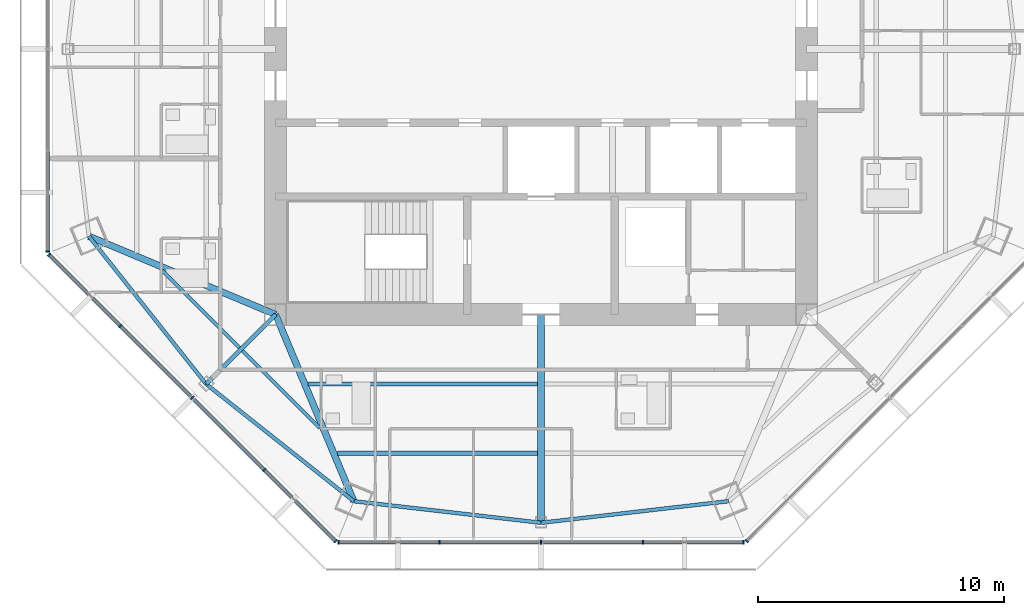
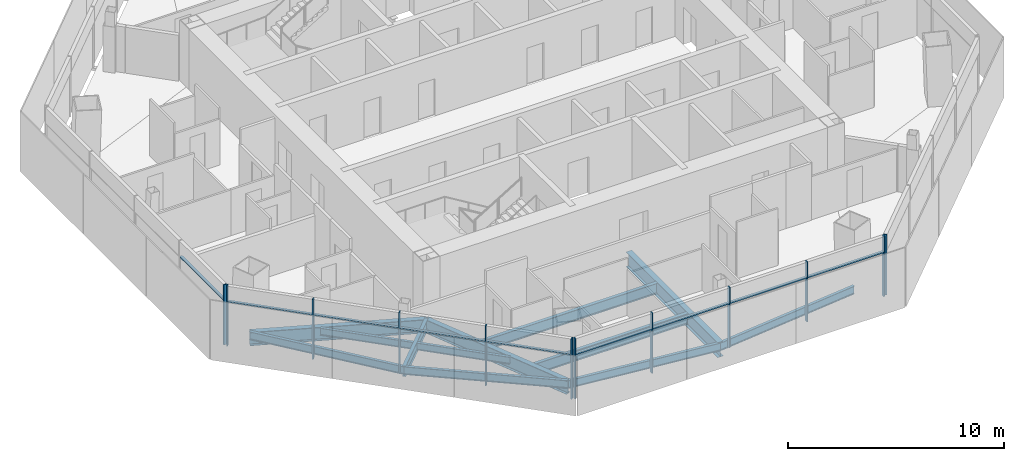
# One storey, part 2 of 15: 21 members, 12 beams, 4 elements without a shape of their own.
"""IFC4 building model written with IfcOpenShell, lengths in metres."""

import ifcopenshell
import ifcopenshell.guid

model = None  # the IFC model being written
_history = None  # IfcOwnerHistory: only IFC2X3 demands one
_inside = {}  # id of a spatial element -> (the spatial element, [elements in it])
_under = {}  # id of a project, library or spatial element -> (it, [spatial elements below it])
_declared = {}  # id of a project -> (the project, [libraries it declares])
_typed = {}  # id of a type object -> (the type object, [elements of that type])
_made_of = {}  # id of a material, layer set ... -> (it, [elements and type objects made of it])


def new_model(schema):
    """Start an empty IFC model of exactly this schema.

    Asked for "IFC4X3", IfcOpenShell would pick the latest addendum, in which some entities
    have other attributes; the version numbers below select the first issue.
    IFC2X3 requires an IfcOwnerHistory on every rooted entity: one is made here for all.
    """
    global model, _history
    if schema == "IFC4X3":
        model = ifcopenshell.file(schema_version=(4, 3, 0, 0))
    else:
        model = ifcopenshell.file(schema=schema)
    _inside.clear()
    _under.clear()
    _declared.clear()
    _typed.clear()
    _made_of.clear()
    _history = None
    if model.schema == "IFC2X3":
        org = make("IfcOrganization", Name="unknown")
        user = make(
            "IfcPersonAndOrganization",
            ThePerson=make("IfcPerson", FamilyName="unknown"),
            TheOrganization=org,
        )
        app = make(
            "IfcApplication",
            ApplicationDeveloper=org,
            Version="unknown",
            ApplicationFullName="unknown",
            ApplicationIdentifier="unknown",
        )
        _history = make(
            "IfcOwnerHistory",
            OwningUser=user,
            OwningApplication=app,
            ChangeAction="ADDED",
            CreationDate=0,
        )
    return model


def make(cls, **values):
    """One entity of the class cls with the attributes given. An attribute that is None is left unset."""
    return model.create_entity(
        cls, **{name: value for name, value in values.items() if value is not None}
    )


def rooted(cls, **values):
    """An entity with a GlobalId (a new one), such as an element, a storey or a relation."""
    return make(cls, GlobalId=ifcopenshell.guid.new(), OwnerHistory=_history, **values)


def si_unit(unit_type, name, prefix=None):
    """IfcSIUnit, for example si_unit("LENGTHUNIT", "METRE", prefix="MILLI")."""
    return make("IfcSIUnit", UnitType=unit_type, Prefix=prefix, Name=name)


def assignment(units):
    """IfcUnitAssignment: the units of a project."""
    return None if units is None else make("IfcUnitAssignment", Units=units)


def point(xyz):
    """IfcCartesianPoint."""
    return None if xyz is None else make("IfcCartesianPoint", Coordinates=xyz)


def direction(xyz):
    """IfcDirection."""
    return None if xyz is None else make("IfcDirection", DirectionRatios=xyz)


def frame(location, z_axis=None, x_axis=None):
    """IfcAxis2Placement3D, a coordinate frame: its origin and axes. An axis left out is left unset."""
    return make(
        "IfcAxis2Placement3D",
        Location=point(location),
        Axis=direction(z_axis),
        RefDirection=direction(x_axis),
    )


def frame_2d(location, x_axis=None):
    """IfcAxis2Placement2D, a coordinate frame in the plane: its origin and x axis."""
    return make(
        "IfcAxis2Placement2D", Location=point(location), RefDirection=direction(x_axis)
    )


def origin():
    """The frame at (0, 0, 0) with its axes left unset."""
    return frame((0.0, 0.0, 0.0))


def origin_2d():
    """The frame at (0, 0) in the plane with its x axis left unset."""
    return frame_2d((0.0, 0.0))


def place(relative_to, where):
    """IfcLocalPlacement: puts the frame where relative to a parent placement (None: the world)."""
    return make(
        "IfcLocalPlacement", PlacementRelTo=relative_to, RelativePlacement=where
    )


def context(
    kind, dimensions, precision=None, world=None, true_north=None, identifier=None
):
    """IfcGeometricRepresentationContext, for example the 3D "Model" context."""
    return make(
        "IfcGeometricRepresentationContext",
        ContextIdentifier=identifier,
        ContextType=kind,
        CoordinateSpaceDimension=dimensions,
        Precision=precision,
        WorldCoordinateSystem=world,
        TrueNorth=true_north,
    )


def subcontext(parent, identifier, kind, view, scale=None):
    """IfcGeometricRepresentationSubContext, for example "Body" below "Model"."""
    return make(
        "IfcGeometricRepresentationSubContext",
        ContextIdentifier=identifier,
        ContextType=kind,
        ParentContext=parent,
        TargetScale=scale,
        TargetView=view,
    )


def project(units=None, contexts=None):
    """IfcProject with its units and contexts."""
    return rooted(
        "IfcProject",
        Name="project",
        RepresentationContexts=contexts,
        UnitsInContext=assignment(units),
    )


def spatial(cls, under=None, at=None, **own):
    """A site, building, storey or space (cls), placed at a placement, below another one or the project."""
    s = rooted(cls, ObjectPlacement=at, **own)
    if under is not None:
        _under.setdefault(under.id(), (under, []))[1].append(s)
    return s


def profile(cls, at=None, kind="AREA", **sizes):
    """A parametric profile (cls). Its sizes go by their IFC names, for example OverallWidth=200.0."""
    return make(cls, ProfileType=kind, Position=at, **sizes)


def rectangle(**sizes):
    """IfcRectangleProfileDef."""
    return profile("IfcRectangleProfileDef", **sizes)


def i_section(**sizes):
    """IfcIShapeProfileDef."""
    return profile("IfcIShapeProfileDef", **sizes)


def extrude(swept, where, along, depth):
    """IfcExtrudedAreaSolid: the profile swept, set in the frame where, extruded along a direction by depth."""
    return make(
        "IfcExtrudedAreaSolid",
        SweptArea=swept,
        Position=where,
        ExtrudedDirection=direction(along),
        Depth=depth,
    )


def shape(context_of_items, identifier, shape_type, items):
    """IfcShapeRepresentation: the items that make up one representation, for example the "Body"."""
    return make(
        "IfcShapeRepresentation",
        ContextOfItems=context_of_items,
        RepresentationIdentifier=identifier,
        RepresentationType=shape_type,
        Items=items,
    )


def source(mapping_origin, context_of_items, identifier, shape_type, items):
    """IfcRepresentationMap: a shape defined once, which mapped items show again and again."""
    return make(
        "IfcRepresentationMap",
        MappingOrigin=mapping_origin,
        MappedRepresentation=shape(context_of_items, identifier, shape_type, items),
    )


def transform(
    local_origin,
    x_axis=None,
    y_axis=None,
    z_axis=None,
    scale=None,
    scale2=None,
    scale3=None,
    uniform=True,
):
    """IfcCartesianTransformationOperator3D, or its non-uniform kind. x_axis, y_axis, z_axis: its Axis1, 2, 3."""
    if uniform:
        return make(
            "IfcCartesianTransformationOperator3D",
            Axis1=direction(x_axis),
            Axis2=direction(y_axis),
            LocalOrigin=point(local_origin),
            Scale=scale,
            Axis3=direction(z_axis),
        )
    return make(
        "IfcCartesianTransformationOperator3DnonUniform",
        Axis1=direction(x_axis),
        Axis2=direction(y_axis),
        LocalOrigin=point(local_origin),
        Scale=scale,
        Axis3=direction(z_axis),
        Scale2=scale2,
        Scale3=scale3,
    )


def mapped(mapping_source, mapping_target):
    """IfcMappedItem: shows the shape of a source again, moved by a transform."""
    return make(
        "IfcMappedItem", MappingSource=mapping_source, MappingTarget=mapping_target
    )


def material(Name=None, Category=None):
    """IfcMaterial."""
    return make("IfcMaterial", Name=Name, Category=Category)


def material_profile(
    of_material, cross_section, Name=None, Category=None, Priority=None
):
    """IfcMaterialProfile: a cross section and its material."""
    return make(
        "IfcMaterialProfile",
        Name=Name,
        Material=of_material,
        Profile=cross_section,
        Priority=Priority,
        Category=Category,
    )


def profile_set(profiles, Name=None, composite=None):
    """IfcMaterialProfileSet."""
    return make(
        "IfcMaterialProfileSet",
        Name=Name,
        MaterialProfiles=profiles,
        CompositeProfile=composite,
    )


def made_of(thing, what):
    """Note that an element or type object is made of a material, layer set ...; save() writes the relation."""
    if what is not None:
        _made_of.setdefault(what.id(), (what, []))[1].append(thing)
    return thing


def type_object(cls, material=None, **own):
    """A type object (cls), such as IfcWallType, which elements share."""
    return made_of(rooted(cls, **own), material)


def type_shapes(of_type, sources):
    """Give a type object the sources (RepresentationMaps) that its elements show as mapped items."""
    of_type.RepresentationMaps = sources


def element(
    cls,
    number,
    at=None,
    inside=None,
    cuts=None,
    type_object=None,
    material=None,
    context=None,
    identifier="Body",
    shape_type=None,
    held_by="IfcProductDefinitionShape",
    body=None,
    shapes=None,
    **own,
):
    """One element of the class cls, such as IfcWall. Its Tag is "e" and its number.

    at: its placement. inside: the storey or other place that contains it. cuts: it is an
    opening in that element (IfcRelVoidsElement). A single representation is given by context,
    identifier, shape_type and body (its items); several are given by shapes. held_by: the class
    of the entity that holds the representations. save() writes the other relations.
    """
    e = rooted(cls, Tag="e%d" % number, ObjectPlacement=at, **own)
    if body is not None:
        shapes = [shape(context, identifier, shape_type, body)]
    if shapes is not None:
        e.Representation = make(held_by, Representations=shapes)
    if inside is not None:
        _inside.setdefault(inside.id(), (inside, []))[1].append(e)
    if cuts is not None:
        rooted(
            "IfcRelVoidsElement", RelatingBuildingElement=cuts, RelatedOpeningElement=e
        )
    if type_object is not None:
        _typed.setdefault(type_object.id(), (type_object, []))[1].append(e)
    return made_of(e, material)


def aggregate(whole, parts):
    """IfcRelAggregates: a whole, such as a stair, and the parts it consists of."""
    return rooted("IfcRelAggregates", RelatingObject=whole, RelatedObjects=parts)


def save(model, path):
    """Write the relations noted so far, then the file.

    IfcRelAggregates (storeys below a building ...), IfcRelContainedInSpatialStructure (elements
    in a storey), IfcRelDefinesByType, IfcRelAssociatesMaterial and IfcRelDeclares: one each for
    every whole, place, type object, material and project.
    """
    for whole, parts in _under.values():
        aggregate(whole, parts)
    for where, things in _inside.values():
        rooted(
            "IfcRelContainedInSpatialStructure",
            RelatedElements=things,
            RelatingStructure=where,
        )
    for kind, things in _typed.values():
        rooted("IfcRelDefinesByType", RelatedObjects=things, RelatingType=kind)
    for what, things in _made_of.values():
        rooted("IfcRelAssociatesMaterial", RelatedObjects=things, RelatingMaterial=what)
    for by, libraries in _declared.values():
        rooted("IfcRelDeclares", RelatingContext=by, RelatedDefinitions=libraries)
    model.write(path)


model = new_model("IFC4")

# Units and contexts
model_context = context("Model", 3, precision=1e-05, world=origin(), true_north=direction((0.0, 1.0)))
body_context = subcontext(model_context, "Body", "Model", "MODEL_VIEW")
ifc_project = project(units=[si_unit("LENGTHUNIT", "METRE"), si_unit("AREAUNIT", "SQUARE_METRE"), si_unit("VOLUMEUNIT", "CUBIC_METRE"), si_unit("PLANEANGLEUNIT", "RADIAN"), si_unit("MASSUNIT", "GRAM", prefix="KILO")], contexts=[model_context])

# Site, building, storey
site_placement = place(None, origin())
site = spatial("IfcSite", under=ifc_project, at=site_placement, CompositionType="ELEMENT")
building_placement = place(site_placement, origin())
building = spatial("IfcBuilding", under=site, at=building_placement, Name="Mashrafa Tower", CompositionType="ELEMENT")
storey_placement = place(building_placement, frame((0.0, 0.0, 281.0)))
storey = spatial("IfcBuildingStorey", under=building, at=storey_placement, Name="L68", CompositionType="ELEMENT", Elevation=281.0)

# Beams
ifc_material_1 = material(Name="Steel ASTM A992", Category="steel")
ifc_material_profile_1 = material_profile(ifc_material_1, i_section(OverallWidth=0.140380859375, OverallDepth=0.40380859375, WebThickness=0.007080078125, FlangeThickness=0.01123046875, FilletRadius=0.01025390625, at=origin_2d()), Name="W16X31")
ifc_profile_set_1 = profile_set([ifc_material_profile_1], Name="Steel ASTM A992")
beam_type_1 = type_object("IfcBeamType", Name="Beam W16X31", PredefinedType="BEAM", material=ifc_profile_set_1)
for number, where, z_axis, x_axis, name in (
    (1, (-12.276611328125, -12.150390625, -0.40185546875), (-0.707106781187, 0.707106781187, 0.0), (-0.707106781187, -0.707106781187, 0.0), "Floor beam L68 006"),
    (2, (-9.010498046875, -15.41650390625, -0.40185546875), (-0.707106781187, 0.707106781187, 0.0), (-0.707106781187, -0.707106781187, 0.0), "Floor beam L68 009"),
):
    element("IfcBeam", number, at=place(storey_placement, frame(where, z_axis=z_axis, x_axis=x_axis)), inside=storey, type_object=beam_type_1, Name=name, PredefinedType="BEAM", context=body_context, shape_type="SweptSolid", body=[
        extrude(i_section(OverallWidth=0.140380859375, OverallDepth=0.40380859375, WebThickness=0.007080078125, FlangeThickness=0.01123046875, FilletRadius=0.01025390625, at=origin_2d()), origin(), (0.0, 0.0, 1.0), 4.4404296875),
    ])
ifc_material_2 = material(Name="Steel ASTM A992", Category="steel")
ifc_material_profile_2 = material_profile(ifc_material_2, i_section(OverallWidth=0.15234375, OverallDepth=0.449462890625, WebThickness=0.007568359375, FlangeThickness=0.0107421875, FilletRadius=0.01025390625, at=origin_2d()), Name="W18X35")
ifc_profile_set_2 = profile_set([ifc_material_profile_2], Name="Steel ASTM A992")
beam_type_2 = type_object("IfcBeamType", Name="Beam W18X35", PredefinedType="BEAM", material=ifc_profile_set_2)
for number, where, z_axis, x_axis, name in (
    (3, (-18.39306640625, -7.61865234375, -0.4248046875), (0.621467485512, -0.783439955868, 0.0), (0.783439955868, 0.621467485512, 0.0), "Spandrel beam L68 042"),
    (4, (-13.626953125, -13.626953125, -0.4248046875), (0.783439955868, -0.621467485512, 0.0), (0.621467485512, 0.783439955868, 0.0), "Spandrel beam L68 044"),
    (5, (-7.61865234375, -18.39306640625, -0.4248046875), (0.993422313462, -0.114508109387, 0.0), (0.114508109387, 0.993422313462, 0.0), "Spandrel beam L68 046"),
    (6, (0.0, -19.271240234375, -0.4248046875), (0.993422313462, 0.114508109387, 0.0), (-0.114508109387, 0.993422313462, 0.0), "Spandrel beam L68 048"),
):
    element("IfcBeam", number, at=place(storey_placement, frame(where, z_axis=z_axis, x_axis=x_axis)), inside=storey, type_object=beam_type_2, Name=name, PredefinedType="BEAM", context=body_context, shape_type="SweptSolid", body=[
        extrude(i_section(OverallWidth=0.15234375, OverallDepth=0.449462890625, WebThickness=0.007568359375, FlangeThickness=0.0107421875, FilletRadius=0.01025390625, at=origin_2d()), origin(), (0.0, 0.0, 1.0), 7.669189453125),
    ])
ifc_material_3 = material(Name="Steel ASTM A992", Category="steel")
ifc_material_profile_3 = material_profile(ifc_material_3, i_section(OverallWidth=0.177978515625, OverallDepth=0.599365234375, WebThickness=0.010009765625, FlangeThickness=0.012939453125, FilletRadius=0.012939453125, at=origin_2d()), Name="W24X55")
ifc_profile_set_3 = profile_set([ifc_material_profile_3], Name="Steel ASTM A992")
beam_type_3 = type_object("IfcBeamType", Name="Beam W24X55", PredefinedType="BEAM", material=ifc_profile_set_3)
beam_1_placement = place(storey_placement, frame((-0.14599609375, -16.447509765625, -0.499755859375), z_axis=(-1.0, 0.0, 0.0), x_axis=(0.0, -1.0, 0.0)))
element("IfcBeam", 7, at=beam_1_placement, inside=storey, type_object=beam_type_3, Name="Floor beam L68 011", PredefinedType="BEAM", context=body_context, shape_type="SweptSolid", body=[
    extrude(i_section(OverallWidth=0.177978515625, OverallDepth=0.599365234375, WebThickness=0.010009765625, FlangeThickness=0.012939453125, FilletRadius=0.012939453125, at=origin_2d()), origin(), (0.0, 0.0, 1.0), 8.143310546875),
])
beam_2_placement = place(storey_placement, frame((-0.14599609375, -13.623779296875, -0.499755859375), z_axis=(-1.0, 0.0, 0.0), x_axis=(0.0, -1.0, 0.0)))
element("IfcBeam", 8, at=beam_2_placement, inside=storey, type_object=beam_type_3, Name="Floor beam L68 012", PredefinedType="BEAM", context=body_context, shape_type="SweptSolid", body=[
    extrude(i_section(OverallWidth=0.177978515625, OverallDepth=0.599365234375, WebThickness=0.010009765625, FlangeThickness=0.012939453125, FilletRadius=0.012939453125, at=origin_2d()), origin(), (0.0, 0.0, 1.0), 9.326416015625),
])
beam_3_placement = place(storey_placement, frame((-10.800048828125, -10.800048828125, -0.499755859375), z_axis=(-0.707106781187, -0.707106781187, 0.0), x_axis=(0.707106781187, -0.707106781187, 0.0)))
element("IfcBeam", 9, at=beam_3_placement, inside=storey, type_object=beam_type_3, Name="Radial girder L68 026", PredefinedType="BEAM", context=body_context, shape_type="SweptSolid", body=[
    extrude(i_section(OverallWidth=0.177978515625, OverallDepth=0.599365234375, WebThickness=0.010009765625, FlangeThickness=0.012939453125, FilletRadius=0.012939453125, at=origin_2d()), origin(), (0.0, 0.0, 1.0), 3.997802734375),
])
ifc_material_4 = material(Name="Steel ASTM A992", Category="steel")
ifc_material_profile_4 = material_profile(ifc_material_4, i_section(OverallWidth=0.2666015625, OverallDepth=0.761962890625, WebThickness=0.014404296875, FlangeThickness=0.021484375, FilletRadius=0.0166015625, at=origin_2d()), Name="W30X116")
ifc_profile_set_4 = profile_set([ifc_material_profile_4], Name="Steel ASTM A992")
beam_type_4 = type_object("IfcBeamType", Name="Beam W30X116", PredefinedType="BEAM", material=ifc_profile_set_4)
for number, where, z_axis, x_axis, name in (
    (10, (-10.800048828125, -10.800048828125, -0.5810546875), (-0.922314428851, 0.386440285597, 0.0), (-0.386440285597, -0.922314428851, 0.0), "Radial girder L68 025"),
    (11, (-10.800048828125, -10.800048828125, -0.5810546875), (0.386440285597, -0.922314428851, 0.0), (0.922314428851, 0.386440285597, 0.0), "Radial girder L68 027"),
):
    element("IfcBeam", number, at=place(storey_placement, frame(where, z_axis=z_axis, x_axis=x_axis)), inside=storey, type_object=beam_type_4, Name=name, PredefinedType="BEAM", context=body_context, shape_type="SweptSolid", body=[
        extrude(i_section(OverallWidth=0.2666015625, OverallDepth=0.761962890625, WebThickness=0.014404296875, FlangeThickness=0.021484375, FilletRadius=0.0166015625, at=origin_2d()), origin(), (0.0, 0.0, 1.0), 8.232666015625),
    ])
ifc_material_5 = material(Name="Steel ASTM A992", Category="steel")
ifc_material_profile_5 = material_profile(ifc_material_5, i_section(OverallWidth=0.2919921875, OverallDepth=0.845703125, WebThickness=0.015380859375, FlangeThickness=0.0244140625, FilletRadius=0.017333984375, at=origin_2d()), Name="W33X141")
ifc_profile_set_5 = profile_set([ifc_material_profile_5], Name="Steel ASTM A992")
beam_type_5 = type_object("IfcBeamType", Name="Beam W33X141", PredefinedType="BEAM", material=ifc_profile_set_5)
beam_4_placement = place(storey_placement, frame((0.0, -10.800048828125, -0.622802734375), z_axis=(0.0, -1.0, 0.0), x_axis=(1.0, 0.0, 0.0)))
element("IfcBeam", 12, at=beam_4_placement, inside=storey, type_object=beam_type_5, Name="Radial girder L68 032", PredefinedType="BEAM", context=body_context, shape_type="SweptSolid", body=[
    extrude(i_section(OverallWidth=0.2919921875, OverallDepth=0.845703125, WebThickness=0.015380859375, FlangeThickness=0.0244140625, FilletRadius=0.017333984375, at=origin_2d()), origin(), (0.0, 0.0, 1.0), 8.47119140625),
])

# Curtain wall, member
ifc_material_6 = material(Name="Unitised aluminium curtain wall", Category="aluminium")
curtain_wall_type = type_object("IfcCurtainWallType", Name="Apartment curtain wall, zone 4 CW-D 160 deep", PredefinedType="NOTDEFINED", material=ifc_material_6)
curtain_wall_1_placement = place(storey_placement, origin())
curtain_wall_1 = element("IfcCurtainWall", 13, at=curtain_wall_1_placement, inside=storey, type_object=curtain_wall_type, Name="Apartment curtain wall, zone 4 L68 west", PredefinedType="NOTDEFINED")
ifc_material_7 = material(Name="Extruded aluminium mullion", Category="aluminium")
ifc_material_profile_6 = material_profile(ifc_material_7, rectangle(XDim=0.159912109375, YDim=0.06005859375, at=origin_2d()), Name="Mullion 60x160")
ifc_profile_set_6 = profile_set([ifc_material_profile_6], Name="Extruded aluminium mullion")
member_type_1 = type_object("IfcMemberType", Name="Mullion CW-D 60 x 160", PredefinedType="MULLION", material=ifc_profile_set_6)
shared_shape_1 = source(origin(), body_context, "Body", "SweptSolid", [
    extrude(rectangle(XDim=0.159912109375, YDim=0.06005859375, at=origin_2d()), origin(), (0.0, 0.0, 1.0), 3.39990234375),
])
type_shapes(member_type_1, [shared_shape_1])
member_1_placement = place(storey_placement, frame((-20.065673828125, -8.23828125, 0.0), z_axis=(0.0, 0.0, 1.0), x_axis=(1.0, 0.0, 0.0)))
member_1 = element("IfcMember", 14, at=member_1_placement, type_object=member_type_1, Name="CW-D mullion 5", PredefinedType="MULLION", context=body_context, shape_type="MappedRepresentation", body=[
    mapped(shared_shape_1, transform((0.0, 0.0, 0.0))),
])

# Curtain wall, members
curtain_wall_2_placement = place(storey_placement, origin())
curtain_wall_2 = element("IfcCurtainWall", 15, at=curtain_wall_2_placement, inside=storey, type_object=curtain_wall_type, Name="Apartment curtain wall, zone 4 L68 south-west", PredefinedType="NOTDEFINED")
member_2_placement = place(storey_placement, frame((-20.013916015625, -8.36328125, 0.0), z_axis=(0.0, 0.0, 1.0), x_axis=(0.707106781187, 0.707106781187, 0.0)))
member_2 = element("IfcMember", 16, at=member_2_placement, type_object=member_type_1, Name="CW-D mullion 1", PredefinedType="MULLION", context=body_context, shape_type="MappedRepresentation", body=[
    mapped(shared_shape_1, transform((0.0, 0.0, 0.0))),
])
member_3_placement = place(storey_placement, frame((-17.11181640625, -11.26513671875, 0.0), z_axis=(0.0, 0.0, 1.0), x_axis=(0.707106781187, 0.707106781187, 0.0)))
member_3 = element("IfcMember", 17, at=member_3_placement, type_object=member_type_1, Name="CW-D mullion 2", PredefinedType="MULLION", context=body_context, shape_type="MappedRepresentation", body=[
    mapped(shared_shape_1, transform((0.0, 0.0, 0.0))),
])
member_4_placement = place(storey_placement, frame((-14.1884765625, -14.1884765625, 0.0), z_axis=(0.0, 0.0, 1.0), x_axis=(0.707106781187, 0.707106781187, 0.0)))
member_4 = element("IfcMember", 18, at=member_4_placement, type_object=member_type_1, Name="CW-D mullion 3", PredefinedType="MULLION", context=body_context, shape_type="MappedRepresentation", body=[
    mapped(shared_shape_1, transform((0.0, 0.0, 0.0))),
])
member_5_placement = place(storey_placement, frame((-11.26513671875, -17.11181640625, 0.0), z_axis=(0.0, 0.0, 1.0), x_axis=(0.707106781187, 0.707106781187, 0.0)))
member_5 = element("IfcMember", 19, at=member_5_placement, type_object=member_type_1, Name="CW-D mullion 4", PredefinedType="MULLION", context=body_context, shape_type="MappedRepresentation", body=[
    mapped(shared_shape_1, transform((0.0, 0.0, 0.0))),
])
member_6_placement = place(storey_placement, frame((-8.36328125, -20.013916015625, 0.0), z_axis=(0.0, 0.0, 1.0), x_axis=(0.707106781187, 0.707106781187, 0.0)))
member_6 = element("IfcMember", 20, at=member_6_placement, type_object=member_type_1, Name="CW-D mullion 5", PredefinedType="MULLION", context=body_context, shape_type="MappedRepresentation", body=[
    mapped(shared_shape_1, transform((0.0, 0.0, 0.0))),
])

curtain_wall_3_placement = place(storey_placement, origin())
curtain_wall_3 = element("IfcCurtainWall", 21, at=curtain_wall_3_placement, inside=storey, type_object=curtain_wall_type, Name="Apartment curtain wall, zone 4 L68 south", PredefinedType="NOTDEFINED")
member_7_placement = place(storey_placement, frame((-8.23828125, -20.065673828125, 0.0), z_axis=(0.0, 0.0, 1.0), x_axis=(0.0, 1.0, 0.0)))
member_7 = element("IfcMember", 22, at=member_7_placement, type_object=member_type_1, Name="CW-D mullion 1", PredefinedType="MULLION", context=body_context, shape_type="MappedRepresentation", body=[
    mapped(shared_shape_1, transform((0.0, 0.0, 0.0))),
])
member_8_placement = place(storey_placement, frame((-4.13427734375, -20.065673828125, 0.0), z_axis=(0.0, 0.0, 1.0), x_axis=(0.0, 1.0, 0.0)))
member_8 = element("IfcMember", 23, at=member_8_placement, type_object=member_type_1, Name="CW-D mullion 2", PredefinedType="MULLION", context=body_context, shape_type="MappedRepresentation", body=[
    mapped(shared_shape_1, transform((0.0, 0.0, 0.0))),
])
member_9_placement = place(storey_placement, frame((0.0, -20.065673828125, 0.0), z_axis=(0.0, 0.0, 1.0), x_axis=(0.0, 1.0, 0.0)))
member_9 = element("IfcMember", 24, at=member_9_placement, type_object=member_type_1, Name="CW-D mullion 3", PredefinedType="MULLION", context=body_context, shape_type="MappedRepresentation", body=[
    mapped(shared_shape_1, transform((0.0, 0.0, 0.0))),
])
member_10_placement = place(storey_placement, frame((4.13427734375, -20.065673828125, 0.0), z_axis=(0.0, 0.0, 1.0), x_axis=(0.0, 1.0, 0.0)))
member_10 = element("IfcMember", 25, at=member_10_placement, type_object=member_type_1, Name="CW-D mullion 4", PredefinedType="MULLION", context=body_context, shape_type="MappedRepresentation", body=[
    mapped(shared_shape_1, transform((0.0, 0.0, 0.0))),
])
member_11_placement = place(storey_placement, frame((8.23828125, -20.065673828125, 0.0), z_axis=(0.0, 0.0, 1.0), x_axis=(0.0, 1.0, 0.0)))
member_11 = element("IfcMember", 26, at=member_11_placement, type_object=member_type_1, Name="CW-D mullion 5", PredefinedType="MULLION", context=body_context, shape_type="MappedRepresentation", body=[
    mapped(shared_shape_1, transform((0.0, 0.0, 0.0))),
])

# Curtain wall, member
curtain_wall_4_placement = place(storey_placement, origin())
curtain_wall_4 = element("IfcCurtainWall", 27, at=curtain_wall_4_placement, inside=storey, type_object=curtain_wall_type, Name="Apartment curtain wall, zone 4 L68 south-east", PredefinedType="NOTDEFINED")
member_12_placement = place(storey_placement, frame((8.36328125, -20.013916015625, 0.0), z_axis=(0.0, 0.0, 1.0), x_axis=(-0.707106781187, 0.707106781187, 0.0)))
member_12 = element("IfcMember", 28, at=member_12_placement, type_object=member_type_1, Name="CW-D mullion 1", PredefinedType="MULLION", context=body_context, shape_type="MappedRepresentation", body=[
    mapped(shared_shape_1, transform((0.0, 0.0, 0.0))),
])
aggregate(curtain_wall_4, [member_12])

# Member
ifc_material_8 = material(Name="Extruded aluminium transom", Category="aluminium")
ifc_material_profile_7 = material_profile(ifc_material_8, rectangle(XDim=0.1279296875, YDim=0.074951171875, at=origin_2d()), Name="Transom 75x128")
ifc_profile_set_7 = profile_set([ifc_material_profile_7], Name="Extruded aluminium transom")
member_type_2 = type_object("IfcMemberType", Name="Transom CW-D 75 x 128", PredefinedType="MULLION", material=ifc_profile_set_7)
shared_shape_2 = source(origin(), body_context, "Body", "SweptSolid", [
    extrude(rectangle(XDim=0.1279296875, YDim=0.074951171875, at=origin_2d()), origin(), (0.0, 0.0, 1.0), 4.044189453125),
])
member_13_placement = place(storey_placement, frame((-20.065673828125, -4.1640625, 2.5), z_axis=(0.0, -1.0, 0.0), x_axis=(1.0, 0.0, 0.0)))
member_13 = element("IfcMember", 29, at=member_13_placement, type_object=member_type_2, Name="CW-D transom 4", PredefinedType="MULLION", context=body_context, shape_type="MappedRepresentation", body=[
    mapped(shared_shape_2, transform((0.0, 0.0, 0.0))),
])

aggregate(curtain_wall_1, [member_1, member_13])

member_14_placement = place(storey_placement, frame((-19.99267578125, -8.38427734375, 2.5), z_axis=(0.707076597131, -0.707136963954, 0.0), x_axis=(0.707136963954, 0.707076597131, 0.0)))
member_14 = element("IfcMember", 30, at=member_14_placement, type_object=member_type_2, Name="CW-D transom 1", PredefinedType="MULLION", context=body_context, shape_type="MappedRepresentation", body=[
    mapped(shared_shape_2, transform((0.0, 0.0, 0.0))),
])

member_15_placement = place(storey_placement, frame((-11.244140625, -17.133056640625, 2.5), z_axis=(0.707136963954, -0.707076597131, 0.0), x_axis=(0.707076597131, 0.707136963954, 0.0)))
member_15 = element("IfcMember", 31, at=member_15_placement, type_object=member_type_2, Name="CW-D transom 4", PredefinedType="MULLION", context=body_context, shape_type="MappedRepresentation", body=[
    mapped(shared_shape_2, transform((0.0, 0.0, 0.0))),
])

member_16_placement = place(storey_placement, frame((-8.208251953125, -20.065673828125, 2.5), z_axis=(1.0, 0.0, 0.0), x_axis=(0.0, 1.0, 0.0)))
member_16 = element("IfcMember", 32, at=member_16_placement, type_object=member_type_2, Name="CW-D transom 1", PredefinedType="MULLION", context=body_context, shape_type="MappedRepresentation", body=[
    mapped(shared_shape_2, transform((0.0, 0.0, 0.0))),
])

member_17_placement = place(storey_placement, frame((4.1640625, -20.065673828125, 2.5), z_axis=(1.0, 0.0, 0.0), x_axis=(0.0, 1.0, 0.0)))
member_17 = element("IfcMember", 33, at=member_17_placement, type_object=member_type_2, Name="CW-D transom 4", PredefinedType="MULLION", context=body_context, shape_type="MappedRepresentation", body=[
    mapped(shared_shape_2, transform((0.0, 0.0, 0.0))),
])

shared_shape_3 = source(origin(), body_context, "Body", "SweptSolid", [
    extrude(rectangle(XDim=0.1279296875, YDim=0.074951171875, at=origin_2d()), origin(), (0.0, 0.0, 1.0), 4.07421875),
])
type_shapes(member_type_2, [shared_shape_2, shared_shape_3])
member_18_placement = place(storey_placement, frame((-17.090576171875, -11.286376953125, 2.5), z_axis=(0.707106781187, -0.707106781187, 0.0), x_axis=(0.707106781187, 0.707106781187, 0.0)))
member_18 = element("IfcMember", 34, at=member_18_placement, type_object=member_type_2, Name="CW-D transom 2", PredefinedType="MULLION", context=body_context, shape_type="MappedRepresentation", body=[
    mapped(shared_shape_3, transform((0.0, 0.0, 0.0))),
])

member_19_placement = place(storey_placement, frame((-14.167236328125, -14.209716796875, 2.5), z_axis=(0.707106781187, -0.707106781187, 0.0), x_axis=(0.707106781187, 0.707106781187, 0.0)))
member_19 = element("IfcMember", 35, at=member_19_placement, type_object=member_type_2, Name="CW-D transom 3", PredefinedType="MULLION", context=body_context, shape_type="MappedRepresentation", body=[
    mapped(shared_shape_3, transform((0.0, 0.0, 0.0))),
])

aggregate(curtain_wall_2, [member_2, member_3, member_4, member_5, member_6, member_14, member_18, member_19, member_15])

member_20_placement = place(storey_placement, frame((-4.104248046875, -20.065673828125, 2.5), z_axis=(1.0, 0.0, 0.0), x_axis=(0.0, 1.0, 0.0)))
member_20 = element("IfcMember", 36, at=member_20_placement, type_object=member_type_2, Name="CW-D transom 2", PredefinedType="MULLION", context=body_context, shape_type="MappedRepresentation", body=[
    mapped(shared_shape_3, transform((0.0, 0.0, 0.0))),
])

member_21_placement = place(storey_placement, frame((0.030029296875, -20.065673828125, 2.5), z_axis=(1.0, 0.0, 0.0), x_axis=(0.0, 1.0, 0.0)))
member_21 = element("IfcMember", 37, at=member_21_placement, type_object=member_type_2, Name="CW-D transom 3", PredefinedType="MULLION", context=body_context, shape_type="MappedRepresentation", body=[
    mapped(shared_shape_3, transform((0.0, 0.0, 0.0))),
])

aggregate(curtain_wall_3, [member_7, member_8, member_9, member_10, member_11, member_16, member_20, member_21, member_17])

save(model, "model.ifc")
